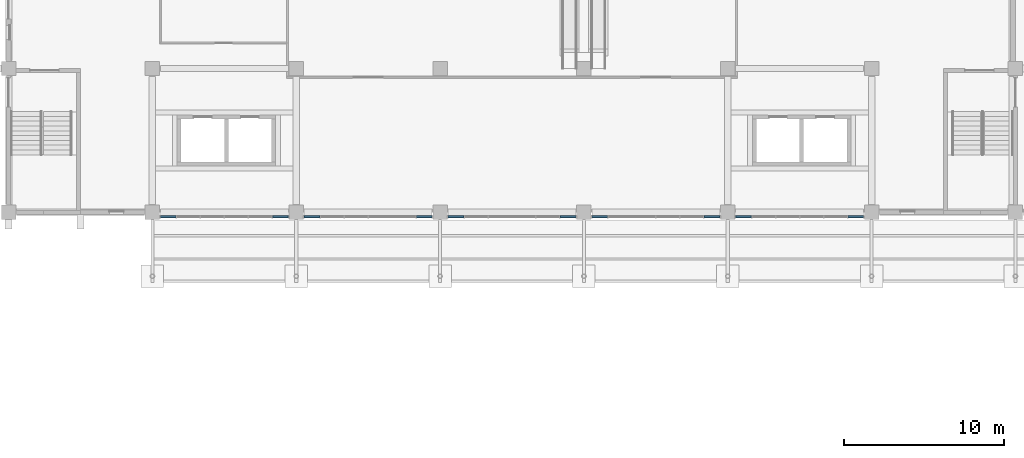
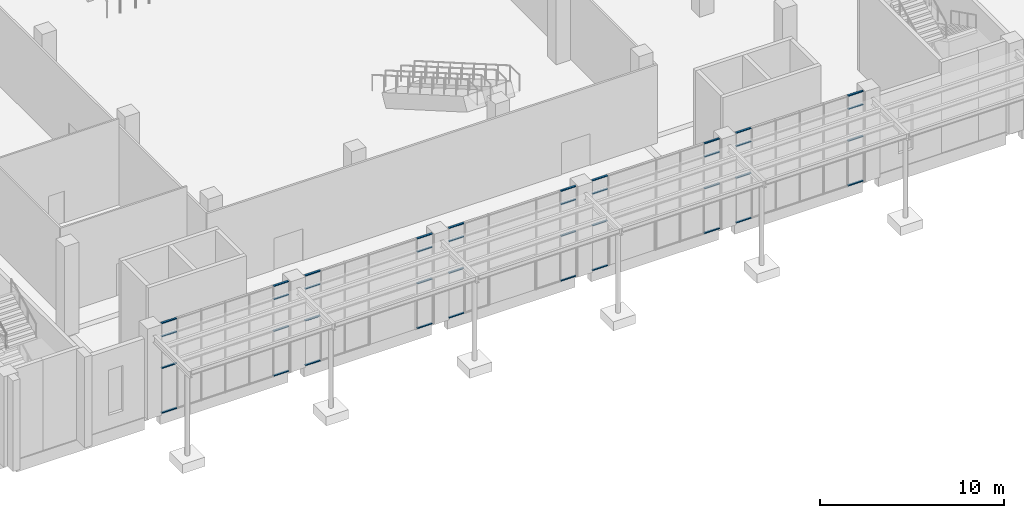
# One storey, part 35 of 86: 40 members, 5 elements without a shape of their own.
"""IFC4 building model written with IfcOpenShell, lengths in metres."""

from ifc_helpers import new_model, si_unit, direction, frame, origin, origin_2d, place, context, subcontext, project, spatial, rectangle, extrude, material, layer, layer_set, material_profile, profile_set, type_object, element, aggregate, save


model = new_model("IFC4")

# Units and contexts
model_context = context("Model", 3, precision=1e-05, world=origin(), true_north=direction((0.0, 1.0)))
body_context = subcontext(model_context, "Body", "Model", "MODEL_VIEW")
ifc_project = project(units=[si_unit("LENGTHUNIT", "METRE"), si_unit("AREAUNIT", "SQUARE_METRE"), si_unit("VOLUMEUNIT", "CUBIC_METRE"), si_unit("PLANEANGLEUNIT", "RADIAN"), si_unit("MASSUNIT", "GRAM", prefix="KILO")], contexts=[model_context])

# Site, building, storey
site_placement = place(None, origin())
site = spatial("IfcSite", under=ifc_project, at=site_placement, CompositionType="ELEMENT")
building_placement = place(site_placement, origin())
building = spatial("IfcBuilding", under=site, at=building_placement, Name="Guidao Yard Department Store", CompositionType="ELEMENT")
storey_placement = place(building_placement, origin())
storey = spatial("IfcBuildingStorey", under=building, at=storey_placement, Name="L00", CompositionType="ELEMENT", Elevation=0.0)

# Curtain wall, members
ifc_material_1 = material(Name="Aluminium and glass", Category="aluminium")
ifc_layer = layer(ifc_material_1, 0.159912109375)
ifc_layer_set = layer_set([ifc_layer], Name="Hall front curtain wall CW2 1500 module")
curtain_wall_type = type_object("IfcCurtainWallType", Name="Hall front curtain wall CW2 1500 module", PredefinedType="NOTDEFINED", material=ifc_layer_set)
curtain_wall_1_placement = place(storey_placement, origin())
curtain_wall_1 = element("IfcCurtainWall", 1, at=curtain_wall_1_placement, inside=storey, type_object=curtain_wall_type, Name="Hall front curtain wall", PredefinedType="NOTDEFINED")
ifc_material_2 = material(Name="Aluminium 6063-T5", Category="aluminium")
ifc_material_profile = material_profile(ifc_material_2, rectangle(XDim=0.1201171875, YDim=0.06005859375, at=origin_2d()), Name="Transom T1 60 x 120 aluminium pressure plate")
ifc_profile_set = profile_set([ifc_material_profile], Name="Aluminium 6063-T5")
member_type = type_object("IfcMemberType", Name="Transom T1 60 x 120 aluminium pressure plate", PredefinedType="USERDEFINED", material=ifc_profile_set)
member_1_placement = place(storey_placement, frame((10.469970703125, 44.719970703125, 0.030029296875), z_axis=(-1.0, 0.0, 0.0), x_axis=(0.0, -1.0, 0.0)))
member_1 = element("IfcMember", 2, at=member_1_placement, type_object=member_type, Name="CW-HF-L00-01 transom 1.1", ObjectType="TRANSOM", PredefinedType="USERDEFINED", context=body_context, shape_type="SweptSolid", body=[
    extrude(rectangle(XDim=0.1201171875, YDim=0.06005859375, at=origin_2d()), origin(), (0.0, 0.0, 1.0), 0.9599609375),
])
member_2_placement = place(storey_placement, frame((10.469970703125, 44.719970703125, 3.0), z_axis=(-1.0, 0.0, 0.0), x_axis=(0.0, -1.0, 0.0)))
member_2 = element("IfcMember", 3, at=member_2_placement, type_object=member_type, Name="CW-HF-L00-01 transom 1.2", ObjectType="TRANSOM", PredefinedType="USERDEFINED", context=body_context, shape_type="SweptSolid", body=[
    extrude(rectangle(XDim=0.1201171875, YDim=0.06005859375, at=origin_2d()), origin(), (0.0, 0.0, 1.0), 0.9599609375),
])
member_3_placement = place(storey_placement, frame((10.469970703125, 44.719970703125, 5.10009765625), z_axis=(-1.0, 0.0, 0.0), x_axis=(0.0, -1.0, 0.0)))
member_3 = element("IfcMember", 4, at=member_3_placement, type_object=member_type, Name="CW-HF-L00-01 transom 1.3", ObjectType="TRANSOM", PredefinedType="USERDEFINED", context=body_context, shape_type="SweptSolid", body=[
    extrude(rectangle(XDim=0.1201171875, YDim=0.06005859375, at=origin_2d()), origin(), (0.0, 0.0, 1.0), 0.9599609375),
])
member_4_placement = place(storey_placement, frame((10.469970703125, 44.719970703125, 5.969970703125), z_axis=(-1.0, 0.0, 0.0), x_axis=(0.0, -1.0, 0.0)))
member_4 = element("IfcMember", 5, at=member_4_placement, type_object=member_type, Name="CW-HF-L00-01 transom 1.4", ObjectType="TRANSOM", PredefinedType="USERDEFINED", context=body_context, shape_type="SweptSolid", body=[
    extrude(rectangle(XDim=0.1201171875, YDim=0.06005859375, at=origin_2d()), origin(), (0.0, 0.0, 1.0), 0.9599609375),
])
member_5_placement = place(storey_placement, frame((17.489990234375, 44.719970703125, 0.030029296875), z_axis=(-1.0, 0.0, 0.0), x_axis=(0.0, -1.0, 0.0)))
member_5 = element("IfcMember", 6, at=member_5_placement, type_object=member_type, Name="CW-HF-L00-01 transom 6.1", ObjectType="TRANSOM", PredefinedType="USERDEFINED", context=body_context, shape_type="SweptSolid", body=[
    extrude(rectangle(XDim=0.1201171875, YDim=0.06005859375, at=origin_2d()), origin(), (0.0, 0.0, 1.0), 0.9599609375),
])
member_6_placement = place(storey_placement, frame((17.489990234375, 44.719970703125, 3.0), z_axis=(-1.0, 0.0, 0.0), x_axis=(0.0, -1.0, 0.0)))
member_6 = element("IfcMember", 7, at=member_6_placement, type_object=member_type, Name="CW-HF-L00-01 transom 6.2", ObjectType="TRANSOM", PredefinedType="USERDEFINED", context=body_context, shape_type="SweptSolid", body=[
    extrude(rectangle(XDim=0.1201171875, YDim=0.06005859375, at=origin_2d()), origin(), (0.0, 0.0, 1.0), 0.9599609375),
])
member_7_placement = place(storey_placement, frame((17.489990234375, 44.719970703125, 5.10009765625), z_axis=(-1.0, 0.0, 0.0), x_axis=(0.0, -1.0, 0.0)))
member_7 = element("IfcMember", 8, at=member_7_placement, type_object=member_type, Name="CW-HF-L00-01 transom 6.3", ObjectType="TRANSOM", PredefinedType="USERDEFINED", context=body_context, shape_type="SweptSolid", body=[
    extrude(rectangle(XDim=0.1201171875, YDim=0.06005859375, at=origin_2d()), origin(), (0.0, 0.0, 1.0), 0.9599609375),
])
member_8_placement = place(storey_placement, frame((17.489990234375, 44.719970703125, 5.969970703125), z_axis=(-1.0, 0.0, 0.0), x_axis=(0.0, -1.0, 0.0)))
member_8 = element("IfcMember", 9, at=member_8_placement, type_object=member_type, Name="CW-HF-L00-01 transom 6.4", ObjectType="TRANSOM", PredefinedType="USERDEFINED", context=body_context, shape_type="SweptSolid", body=[
    extrude(rectangle(XDim=0.1201171875, YDim=0.06005859375, at=origin_2d()), origin(), (0.0, 0.0, 1.0), 0.9599609375),
])
aggregate(curtain_wall_1, [member_1, member_2, member_3, member_4, member_5, member_6, member_7, member_8])

curtain_wall_2_placement = place(storey_placement, origin())
curtain_wall_2 = element("IfcCurtainWall", 10, at=curtain_wall_2_placement, inside=storey, type_object=curtain_wall_type, Name="Hall front curtain wall", PredefinedType="NOTDEFINED")
member_9_placement = place(storey_placement, frame((19.469970703125, 44.719970703125, 0.030029296875), z_axis=(-1.0, 0.0, 0.0), x_axis=(0.0, -1.0, 0.0)))
member_9 = element("IfcMember", 11, at=member_9_placement, type_object=member_type, Name="CW-HF-L00-02 transom 1.1", ObjectType="TRANSOM", PredefinedType="USERDEFINED", context=body_context, shape_type="SweptSolid", body=[
    extrude(rectangle(XDim=0.1201171875, YDim=0.06005859375, at=origin_2d()), origin(), (0.0, 0.0, 1.0), 0.9599609375),
])
member_10_placement = place(storey_placement, frame((19.469970703125, 44.719970703125, 3.0), z_axis=(-1.0, 0.0, 0.0), x_axis=(0.0, -1.0, 0.0)))
member_10 = element("IfcMember", 12, at=member_10_placement, type_object=member_type, Name="CW-HF-L00-02 transom 1.2", ObjectType="TRANSOM", PredefinedType="USERDEFINED", context=body_context, shape_type="SweptSolid", body=[
    extrude(rectangle(XDim=0.1201171875, YDim=0.06005859375, at=origin_2d()), origin(), (0.0, 0.0, 1.0), 0.9599609375),
])
member_11_placement = place(storey_placement, frame((19.469970703125, 44.719970703125, 5.10009765625), z_axis=(-1.0, 0.0, 0.0), x_axis=(0.0, -1.0, 0.0)))
member_11 = element("IfcMember", 13, at=member_11_placement, type_object=member_type, Name="CW-HF-L00-02 transom 1.3", ObjectType="TRANSOM", PredefinedType="USERDEFINED", context=body_context, shape_type="SweptSolid", body=[
    extrude(rectangle(XDim=0.1201171875, YDim=0.06005859375, at=origin_2d()), origin(), (0.0, 0.0, 1.0), 0.9599609375),
])
member_12_placement = place(storey_placement, frame((19.469970703125, 44.719970703125, 5.969970703125), z_axis=(-1.0, 0.0, 0.0), x_axis=(0.0, -1.0, 0.0)))
member_12 = element("IfcMember", 14, at=member_12_placement, type_object=member_type, Name="CW-HF-L00-02 transom 1.4", ObjectType="TRANSOM", PredefinedType="USERDEFINED", context=body_context, shape_type="SweptSolid", body=[
    extrude(rectangle(XDim=0.1201171875, YDim=0.06005859375, at=origin_2d()), origin(), (0.0, 0.0, 1.0), 0.9599609375),
])
member_13_placement = place(storey_placement, frame((26.489990234375, 44.719970703125, 0.030029296875), z_axis=(-1.0, 0.0, 0.0), x_axis=(0.0, -1.0, 0.0)))
member_13 = element("IfcMember", 15, at=member_13_placement, type_object=member_type, Name="CW-HF-L00-02 transom 5.1", ObjectType="TRANSOM", PredefinedType="USERDEFINED", context=body_context, shape_type="SweptSolid", body=[
    extrude(rectangle(XDim=0.1201171875, YDim=0.06005859375, at=origin_2d()), origin(), (0.0, 0.0, 1.0), 0.9599609375),
])
member_14_placement = place(storey_placement, frame((26.489990234375, 44.719970703125, 3.0), z_axis=(-1.0, 0.0, 0.0), x_axis=(0.0, -1.0, 0.0)))
member_14 = element("IfcMember", 16, at=member_14_placement, type_object=member_type, Name="CW-HF-L00-02 transom 5.2", ObjectType="TRANSOM", PredefinedType="USERDEFINED", context=body_context, shape_type="SweptSolid", body=[
    extrude(rectangle(XDim=0.1201171875, YDim=0.06005859375, at=origin_2d()), origin(), (0.0, 0.0, 1.0), 0.9599609375),
])
member_15_placement = place(storey_placement, frame((26.489990234375, 44.719970703125, 5.10009765625), z_axis=(-1.0, 0.0, 0.0), x_axis=(0.0, -1.0, 0.0)))
member_15 = element("IfcMember", 17, at=member_15_placement, type_object=member_type, Name="CW-HF-L00-02 transom 5.3", ObjectType="TRANSOM", PredefinedType="USERDEFINED", context=body_context, shape_type="SweptSolid", body=[
    extrude(rectangle(XDim=0.1201171875, YDim=0.06005859375, at=origin_2d()), origin(), (0.0, 0.0, 1.0), 0.9599609375),
])
member_16_placement = place(storey_placement, frame((26.489990234375, 44.719970703125, 5.969970703125), z_axis=(-1.0, 0.0, 0.0), x_axis=(0.0, -1.0, 0.0)))
member_16 = element("IfcMember", 18, at=member_16_placement, type_object=member_type, Name="CW-HF-L00-02 transom 5.4", ObjectType="TRANSOM", PredefinedType="USERDEFINED", context=body_context, shape_type="SweptSolid", body=[
    extrude(rectangle(XDim=0.1201171875, YDim=0.06005859375, at=origin_2d()), origin(), (0.0, 0.0, 1.0), 0.9599609375),
])
aggregate(curtain_wall_2, [member_9, member_10, member_11, member_12, member_13, member_14, member_15, member_16])

curtain_wall_3_placement = place(storey_placement, origin())
curtain_wall_3 = element("IfcCurtainWall", 19, at=curtain_wall_3_placement, inside=storey, type_object=curtain_wall_type, Name="Hall front curtain wall", PredefinedType="NOTDEFINED")
member_17_placement = place(storey_placement, frame((28.469970703125, 44.719970703125, 0.030029296875), z_axis=(-1.0, 0.0, 0.0), x_axis=(0.0, -1.0, 0.0)))
member_17 = element("IfcMember", 20, at=member_17_placement, type_object=member_type, Name="CW-HF-L00-03 transom 1.1", ObjectType="TRANSOM", PredefinedType="USERDEFINED", context=body_context, shape_type="SweptSolid", body=[
    extrude(rectangle(XDim=0.1201171875, YDim=0.06005859375, at=origin_2d()), origin(), (0.0, 0.0, 1.0), 0.9599609375),
])
member_18_placement = place(storey_placement, frame((28.469970703125, 44.719970703125, 3.0), z_axis=(-1.0, 0.0, 0.0), x_axis=(0.0, -1.0, 0.0)))
member_18 = element("IfcMember", 21, at=member_18_placement, type_object=member_type, Name="CW-HF-L00-03 transom 1.2", ObjectType="TRANSOM", PredefinedType="USERDEFINED", context=body_context, shape_type="SweptSolid", body=[
    extrude(rectangle(XDim=0.1201171875, YDim=0.06005859375, at=origin_2d()), origin(), (0.0, 0.0, 1.0), 0.9599609375),
])
member_19_placement = place(storey_placement, frame((28.469970703125, 44.719970703125, 5.10009765625), z_axis=(-1.0, 0.0, 0.0), x_axis=(0.0, -1.0, 0.0)))
member_19 = element("IfcMember", 22, at=member_19_placement, type_object=member_type, Name="CW-HF-L00-03 transom 1.3", ObjectType="TRANSOM", PredefinedType="USERDEFINED", context=body_context, shape_type="SweptSolid", body=[
    extrude(rectangle(XDim=0.1201171875, YDim=0.06005859375, at=origin_2d()), origin(), (0.0, 0.0, 1.0), 0.9599609375),
])
member_20_placement = place(storey_placement, frame((28.469970703125, 44.719970703125, 5.969970703125), z_axis=(-1.0, 0.0, 0.0), x_axis=(0.0, -1.0, 0.0)))
member_20 = element("IfcMember", 23, at=member_20_placement, type_object=member_type, Name="CW-HF-L00-03 transom 1.4", ObjectType="TRANSOM", PredefinedType="USERDEFINED", context=body_context, shape_type="SweptSolid", body=[
    extrude(rectangle(XDim=0.1201171875, YDim=0.06005859375, at=origin_2d()), origin(), (0.0, 0.0, 1.0), 0.9599609375),
])
member_21_placement = place(storey_placement, frame((35.489990234375, 44.719970703125, 0.030029296875), z_axis=(-1.0, 0.0, 0.0), x_axis=(0.0, -1.0, 0.0)))
member_21 = element("IfcMember", 24, at=member_21_placement, type_object=member_type, Name="CW-HF-L00-03 transom 5.1", ObjectType="TRANSOM", PredefinedType="USERDEFINED", context=body_context, shape_type="SweptSolid", body=[
    extrude(rectangle(XDim=0.1201171875, YDim=0.06005859375, at=origin_2d()), origin(), (0.0, 0.0, 1.0), 0.9599609375),
])
member_22_placement = place(storey_placement, frame((35.489990234375, 44.719970703125, 3.0), z_axis=(-1.0, 0.0, 0.0), x_axis=(0.0, -1.0, 0.0)))
member_22 = element("IfcMember", 25, at=member_22_placement, type_object=member_type, Name="CW-HF-L00-03 transom 5.2", ObjectType="TRANSOM", PredefinedType="USERDEFINED", context=body_context, shape_type="SweptSolid", body=[
    extrude(rectangle(XDim=0.1201171875, YDim=0.06005859375, at=origin_2d()), origin(), (0.0, 0.0, 1.0), 0.9599609375),
])
member_23_placement = place(storey_placement, frame((35.489990234375, 44.719970703125, 5.10009765625), z_axis=(-1.0, 0.0, 0.0), x_axis=(0.0, -1.0, 0.0)))
member_23 = element("IfcMember", 26, at=member_23_placement, type_object=member_type, Name="CW-HF-L00-03 transom 5.3", ObjectType="TRANSOM", PredefinedType="USERDEFINED", context=body_context, shape_type="SweptSolid", body=[
    extrude(rectangle(XDim=0.1201171875, YDim=0.06005859375, at=origin_2d()), origin(), (0.0, 0.0, 1.0), 0.9599609375),
])
member_24_placement = place(storey_placement, frame((35.489990234375, 44.719970703125, 5.969970703125), z_axis=(-1.0, 0.0, 0.0), x_axis=(0.0, -1.0, 0.0)))
member_24 = element("IfcMember", 27, at=member_24_placement, type_object=member_type, Name="CW-HF-L00-03 transom 5.4", ObjectType="TRANSOM", PredefinedType="USERDEFINED", context=body_context, shape_type="SweptSolid", body=[
    extrude(rectangle(XDim=0.1201171875, YDim=0.06005859375, at=origin_2d()), origin(), (0.0, 0.0, 1.0), 0.9599609375),
])
aggregate(curtain_wall_3, [member_17, member_18, member_19, member_20, member_21, member_22, member_23, member_24])

curtain_wall_4_placement = place(storey_placement, origin())
curtain_wall_4 = element("IfcCurtainWall", 28, at=curtain_wall_4_placement, inside=storey, type_object=curtain_wall_type, Name="Hall front curtain wall", PredefinedType="NOTDEFINED")
member_25_placement = place(storey_placement, frame((37.469970703125, 44.719970703125, 0.030029296875), z_axis=(-1.0, 0.0, 0.0), x_axis=(0.0, -1.0, 0.0)))
member_25 = element("IfcMember", 29, at=member_25_placement, type_object=member_type, Name="CW-HF-L00-04 transom 1.1", ObjectType="TRANSOM", PredefinedType="USERDEFINED", context=body_context, shape_type="SweptSolid", body=[
    extrude(rectangle(XDim=0.1201171875, YDim=0.06005859375, at=origin_2d()), origin(), (0.0, 0.0, 1.0), 0.9599609375),
])
member_26_placement = place(storey_placement, frame((37.469970703125, 44.719970703125, 3.0), z_axis=(-1.0, 0.0, 0.0), x_axis=(0.0, -1.0, 0.0)))
member_26 = element("IfcMember", 30, at=member_26_placement, type_object=member_type, Name="CW-HF-L00-04 transom 1.2", ObjectType="TRANSOM", PredefinedType="USERDEFINED", context=body_context, shape_type="SweptSolid", body=[
    extrude(rectangle(XDim=0.1201171875, YDim=0.06005859375, at=origin_2d()), origin(), (0.0, 0.0, 1.0), 0.9599609375),
])
member_27_placement = place(storey_placement, frame((37.469970703125, 44.719970703125, 5.10009765625), z_axis=(-1.0, 0.0, 0.0), x_axis=(0.0, -1.0, 0.0)))
member_27 = element("IfcMember", 31, at=member_27_placement, type_object=member_type, Name="CW-HF-L00-04 transom 1.3", ObjectType="TRANSOM", PredefinedType="USERDEFINED", context=body_context, shape_type="SweptSolid", body=[
    extrude(rectangle(XDim=0.1201171875, YDim=0.06005859375, at=origin_2d()), origin(), (0.0, 0.0, 1.0), 0.9599609375),
])
member_28_placement = place(storey_placement, frame((37.469970703125, 44.719970703125, 5.969970703125), z_axis=(-1.0, 0.0, 0.0), x_axis=(0.0, -1.0, 0.0)))
member_28 = element("IfcMember", 32, at=member_28_placement, type_object=member_type, Name="CW-HF-L00-04 transom 1.4", ObjectType="TRANSOM", PredefinedType="USERDEFINED", context=body_context, shape_type="SweptSolid", body=[
    extrude(rectangle(XDim=0.1201171875, YDim=0.06005859375, at=origin_2d()), origin(), (0.0, 0.0, 1.0), 0.9599609375),
])
member_29_placement = place(storey_placement, frame((44.489990234375, 44.719970703125, 0.030029296875), z_axis=(-1.0, 0.0, 0.0), x_axis=(0.0, -1.0, 0.0)))
member_29 = element("IfcMember", 33, at=member_29_placement, type_object=member_type, Name="CW-HF-L00-04 transom 5.1", ObjectType="TRANSOM", PredefinedType="USERDEFINED", context=body_context, shape_type="SweptSolid", body=[
    extrude(rectangle(XDim=0.1201171875, YDim=0.06005859375, at=origin_2d()), origin(), (0.0, 0.0, 1.0), 0.9599609375),
])
member_30_placement = place(storey_placement, frame((44.489990234375, 44.719970703125, 3.0), z_axis=(-1.0, 0.0, 0.0), x_axis=(0.0, -1.0, 0.0)))
member_30 = element("IfcMember", 34, at=member_30_placement, type_object=member_type, Name="CW-HF-L00-04 transom 5.2", ObjectType="TRANSOM", PredefinedType="USERDEFINED", context=body_context, shape_type="SweptSolid", body=[
    extrude(rectangle(XDim=0.1201171875, YDim=0.06005859375, at=origin_2d()), origin(), (0.0, 0.0, 1.0), 0.9599609375),
])
member_31_placement = place(storey_placement, frame((44.489990234375, 44.719970703125, 5.10009765625), z_axis=(-1.0, 0.0, 0.0), x_axis=(0.0, -1.0, 0.0)))
member_31 = element("IfcMember", 35, at=member_31_placement, type_object=member_type, Name="CW-HF-L00-04 transom 5.3", ObjectType="TRANSOM", PredefinedType="USERDEFINED", context=body_context, shape_type="SweptSolid", body=[
    extrude(rectangle(XDim=0.1201171875, YDim=0.06005859375, at=origin_2d()), origin(), (0.0, 0.0, 1.0), 0.9599609375),
])
member_32_placement = place(storey_placement, frame((44.489990234375, 44.719970703125, 5.969970703125), z_axis=(-1.0, 0.0, 0.0), x_axis=(0.0, -1.0, 0.0)))
member_32 = element("IfcMember", 36, at=member_32_placement, type_object=member_type, Name="CW-HF-L00-04 transom 5.4", ObjectType="TRANSOM", PredefinedType="USERDEFINED", context=body_context, shape_type="SweptSolid", body=[
    extrude(rectangle(XDim=0.1201171875, YDim=0.06005859375, at=origin_2d()), origin(), (0.0, 0.0, 1.0), 0.9599609375),
])
aggregate(curtain_wall_4, [member_25, member_26, member_27, member_28, member_29, member_30, member_31, member_32])

curtain_wall_5_placement = place(storey_placement, origin())
curtain_wall_5 = element("IfcCurtainWall", 37, at=curtain_wall_5_placement, inside=storey, type_object=curtain_wall_type, Name="Hall front curtain wall", PredefinedType="NOTDEFINED")
member_33_placement = place(storey_placement, frame((46.469970703125, 44.719970703125, 0.030029296875), z_axis=(-1.0, 0.0, 0.0), x_axis=(0.0, -1.0, 0.0)))
member_33 = element("IfcMember", 38, at=member_33_placement, type_object=member_type, Name="CW-HF-L00-05 transom 1.1", ObjectType="TRANSOM", PredefinedType="USERDEFINED", context=body_context, shape_type="SweptSolid", body=[
    extrude(rectangle(XDim=0.1201171875, YDim=0.06005859375, at=origin_2d()), origin(), (0.0, 0.0, 1.0), 0.9599609375),
])
member_34_placement = place(storey_placement, frame((46.469970703125, 44.719970703125, 3.0), z_axis=(-1.0, 0.0, 0.0), x_axis=(0.0, -1.0, 0.0)))
member_34 = element("IfcMember", 39, at=member_34_placement, type_object=member_type, Name="CW-HF-L00-05 transom 1.2", ObjectType="TRANSOM", PredefinedType="USERDEFINED", context=body_context, shape_type="SweptSolid", body=[
    extrude(rectangle(XDim=0.1201171875, YDim=0.06005859375, at=origin_2d()), origin(), (0.0, 0.0, 1.0), 0.9599609375),
])
member_35_placement = place(storey_placement, frame((46.469970703125, 44.719970703125, 5.10009765625), z_axis=(-1.0, 0.0, 0.0), x_axis=(0.0, -1.0, 0.0)))
member_35 = element("IfcMember", 40, at=member_35_placement, type_object=member_type, Name="CW-HF-L00-05 transom 1.3", ObjectType="TRANSOM", PredefinedType="USERDEFINED", context=body_context, shape_type="SweptSolid", body=[
    extrude(rectangle(XDim=0.1201171875, YDim=0.06005859375, at=origin_2d()), origin(), (0.0, 0.0, 1.0), 0.9599609375),
])
member_36_placement = place(storey_placement, frame((46.469970703125, 44.719970703125, 5.969970703125), z_axis=(-1.0, 0.0, 0.0), x_axis=(0.0, -1.0, 0.0)))
member_36 = element("IfcMember", 41, at=member_36_placement, type_object=member_type, Name="CW-HF-L00-05 transom 1.4", ObjectType="TRANSOM", PredefinedType="USERDEFINED", context=body_context, shape_type="SweptSolid", body=[
    extrude(rectangle(XDim=0.1201171875, YDim=0.06005859375, at=origin_2d()), origin(), (0.0, 0.0, 1.0), 0.9599609375),
])
member_37_placement = place(storey_placement, frame((53.489990234375, 44.719970703125, 0.030029296875), z_axis=(-1.0, 0.0, 0.0), x_axis=(0.0, -1.0, 0.0)))
member_37 = element("IfcMember", 42, at=member_37_placement, type_object=member_type, Name="CW-HF-L00-05 transom 6.1", ObjectType="TRANSOM", PredefinedType="USERDEFINED", context=body_context, shape_type="SweptSolid", body=[
    extrude(rectangle(XDim=0.1201171875, YDim=0.06005859375, at=origin_2d()), origin(), (0.0, 0.0, 1.0), 0.9599609375),
])
member_38_placement = place(storey_placement, frame((53.489990234375, 44.719970703125, 3.0), z_axis=(-1.0, 0.0, 0.0), x_axis=(0.0, -1.0, 0.0)))
member_38 = element("IfcMember", 43, at=member_38_placement, type_object=member_type, Name="CW-HF-L00-05 transom 6.2", ObjectType="TRANSOM", PredefinedType="USERDEFINED", context=body_context, shape_type="SweptSolid", body=[
    extrude(rectangle(XDim=0.1201171875, YDim=0.06005859375, at=origin_2d()), origin(), (0.0, 0.0, 1.0), 0.9599609375),
])
member_39_placement = place(storey_placement, frame((53.489990234375, 44.719970703125, 5.10009765625), z_axis=(-1.0, 0.0, 0.0), x_axis=(0.0, -1.0, 0.0)))
member_39 = element("IfcMember", 44, at=member_39_placement, type_object=member_type, Name="CW-HF-L00-05 transom 6.3", ObjectType="TRANSOM", PredefinedType="USERDEFINED", context=body_context, shape_type="SweptSolid", body=[
    extrude(rectangle(XDim=0.1201171875, YDim=0.06005859375, at=origin_2d()), origin(), (0.0, 0.0, 1.0), 0.9599609375),
])
member_40_placement = place(storey_placement, frame((53.489990234375, 44.719970703125, 5.969970703125), z_axis=(-1.0, 0.0, 0.0), x_axis=(0.0, -1.0, 0.0)))
member_40 = element("IfcMember", 45, at=member_40_placement, type_object=member_type, Name="CW-HF-L00-05 transom 6.4", ObjectType="TRANSOM", PredefinedType="USERDEFINED", context=body_context, shape_type="SweptSolid", body=[
    extrude(rectangle(XDim=0.1201171875, YDim=0.06005859375, at=origin_2d()), origin(), (0.0, 0.0, 1.0), 0.9599609375),
])
aggregate(curtain_wall_5, [member_33, member_34, member_35, member_36, member_37, member_38, member_39, member_40])

save(model, "model.ifc")
